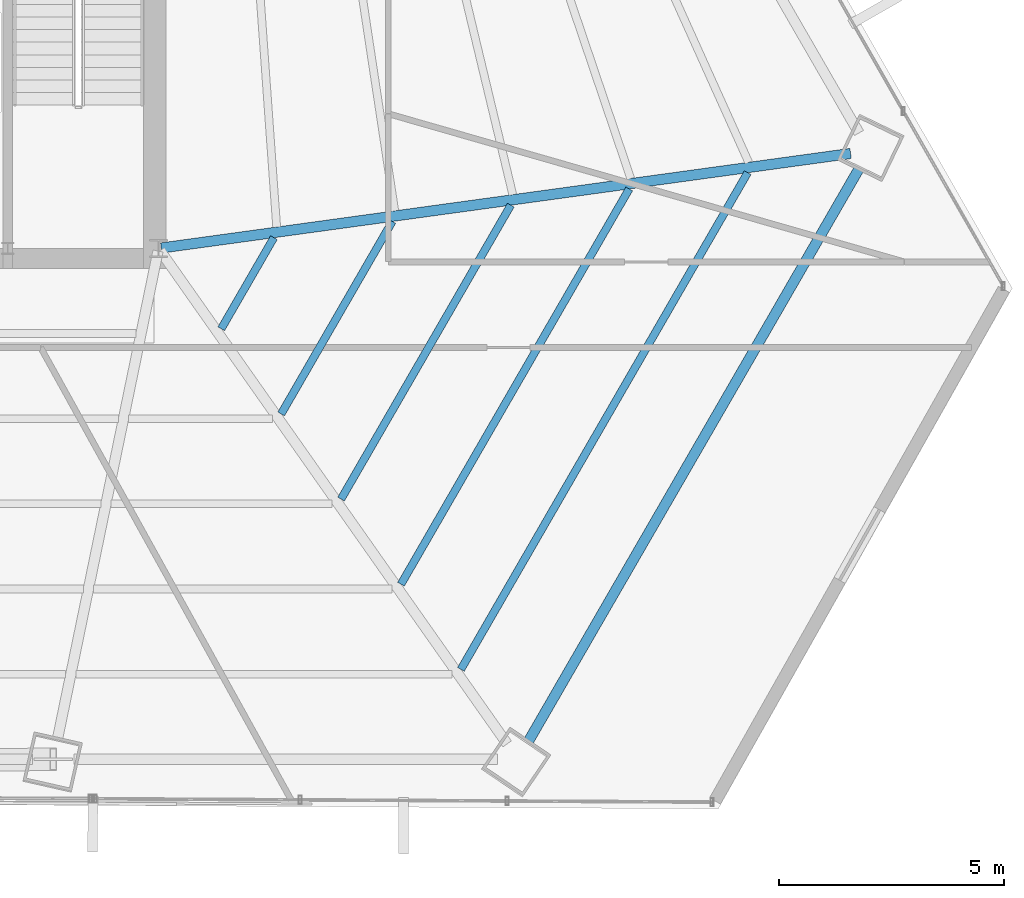
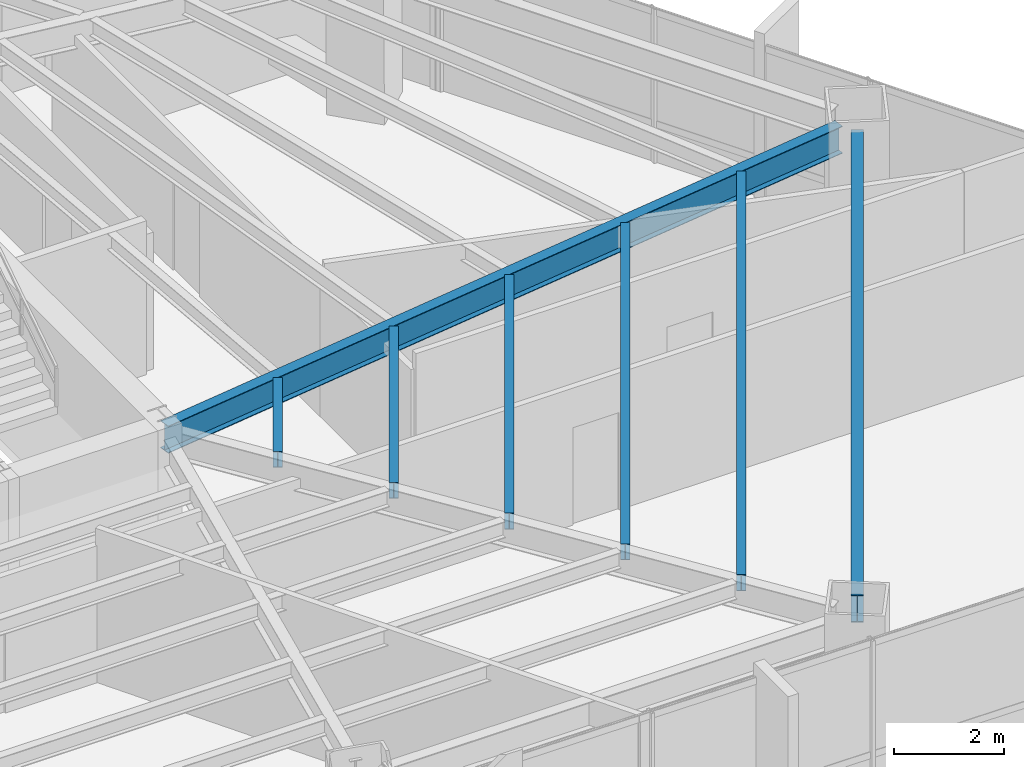
# One storey, part 18 of 35: 7 beams.
"""IFC4 building model written with IfcOpenShell, lengths in metres."""

from ifc_helpers import new_model, si_unit, direction, frame, origin, origin_2d, place, context, subcontext, project, spatial, i_section, extrude, source, transform, mapped, material, material_profile, profile_set, type_object, type_shapes, element, save


model = new_model("IFC4")

# Units and contexts
model_context = context("Model", 3, precision=1e-05, world=origin(), true_north=direction((0.0, 1.0)))
body_context = subcontext(model_context, "Body", "Model", "MODEL_VIEW")
ifc_project = project(units=[si_unit("LENGTHUNIT", "METRE"), si_unit("AREAUNIT", "SQUARE_METRE"), si_unit("VOLUMEUNIT", "CUBIC_METRE"), si_unit("PLANEANGLEUNIT", "RADIAN"), si_unit("MASSUNIT", "GRAM", prefix="KILO")], contexts=[model_context])

# Site, building, storey
site_placement = place(None, origin())
site = spatial("IfcSite", under=ifc_project, at=site_placement, CompositionType="ELEMENT")
building_placement = place(site_placement, origin())
building = spatial("IfcBuilding", under=site, at=building_placement, Name="Caelisora Broadcast Tower", CompositionType="ELEMENT")
storey_placement = place(building_placement, frame((0.0, 0.0, 87.14990234375)))
storey = spatial("IfcBuildingStorey", under=building, at=storey_placement, Name="L22", CompositionType="ELEMENT", Elevation=87.14990234375)

# Beams
ifc_material = material(Name="Steel Grade 350 (AS/NZS 3679.1)", Category="steel")
ifc_material_profile_1 = material_profile(ifc_material, i_section(OverallWidth=0.22900390625, OverallDepth=0.611572265625, WebThickness=0.011962890625, FlangeThickness=0.01953125, at=origin_2d()), Name="Steel Grade 350 (AS/NZS 3679.1)")
ifc_profile_set_1 = profile_set([ifc_material_profile_1], Name="Steel Grade 350 (AS/NZS 3679.1)")
beam_type_1 = type_object("IfcBeamType", Name="PG03", PredefinedType="BEAM", material=ifc_profile_set_1)
shared_shape_1 = source(origin(), body_context, "Body", "SweptSolid", [
    extrude(i_section(OverallWidth=0.22900390625, OverallDepth=0.611572265625, WebThickness=0.011962890625, FlangeThickness=0.01953125, at=origin_2d()), origin(), (0.0, 0.0, 1.0), 14.68359375),
])
type_shapes(beam_type_1, [shared_shape_1])
beam_1_placement = place(storey_placement, frame((53.71337890625, 6.4501953125, 3.09423828125), z_axis=(0.500014139415, 0.866017240235, 0.0), x_axis=(-0.866017240235, 0.500014139415, 0.0)))
element("IfcBeam", 1, at=beam_1_placement, inside=storey, type_object=beam_type_1, Name="L22 beam PG03", PredefinedType="BEAM", context=body_context, shape_type="MappedRepresentation", body=[
    mapped(shared_shape_1, transform((0.0, 0.0, 0.0), scale=1.0)),
])
ifc_material_profile_2 = material_profile(ifc_material, i_section(OverallWidth=0.22802734375, OverallDepth=0.602294921875, WebThickness=0.010498046875, FlangeThickness=0.014892578125, at=origin_2d()), Name="Steel Grade 350 (AS/NZS 3679.1)")
ifc_profile_set_2 = profile_set([ifc_material_profile_2], Name="Steel Grade 350 (AS/NZS 3679.1)")
beam_type_2 = type_object("IfcBeamType", Name="PG04", PredefinedType="BEAM", material=ifc_profile_set_2)
shared_shape_2 = source(origin(), body_context, "Body", "SweptSolid", [
    extrude(i_section(OverallWidth=0.22802734375, OverallDepth=0.602294921875, WebThickness=0.010498046875, FlangeThickness=0.014892578125, at=origin_2d()), origin(), (0.0, 0.0, 1.0), 15.453125),
])
type_shapes(beam_type_2, [shared_shape_2])
beam_2_placement = place(storey_placement, frame((45.559326171875, 17.408203125, 3.098876953125), z_axis=(0.990726722416, 0.135869648898, 0.0), x_axis=(-0.135869648898, 0.990726722416, 0.0)))
element("IfcBeam", 2, at=beam_2_placement, inside=storey, type_object=beam_type_2, Name="L22 beam PG04", PredefinedType="BEAM", context=body_context, shape_type="MappedRepresentation", body=[
    mapped(shared_shape_2, transform((0.0, 0.0, 0.0), scale=1.0)),
])
ifc_material_profile_3 = material_profile(ifc_material, i_section(OverallWidth=0.172119140625, OverallDepth=0.358642578125, WebThickness=0.008056640625, FlangeThickness=0.012939453125, at=origin_2d()), Name="Steel Grade 350 (AS/NZS 3679.1)")
ifc_profile_set_3 = profile_set([ifc_material_profile_3], Name="Steel Grade 350 (AS/NZS 3679.1)")
beam_type_3 = type_object("IfcBeamType", Name="SB02", PredefinedType="JOIST", material=ifc_profile_set_3)
shared_shape_3 = source(origin(), body_context, "Body", "SweptSolid", [
    extrude(i_section(OverallWidth=0.172119140625, OverallDepth=0.358642578125, WebThickness=0.008056640625, FlangeThickness=0.012939453125, at=origin_2d()), origin(), (0.0, 0.0, 1.0), 2.336669921875),
])
beam_3_placement = place(storey_placement, frame((46.891845703125, 15.614990234375, 3.220703125), z_axis=(0.500072169849, 0.865983732493, 0.0), x_axis=(-0.865983732493, 0.500072169849, 0.0)))
element("IfcBeam", 3, at=beam_3_placement, inside=storey, type_object=beam_type_3, Name="L22 beam SB02", PredefinedType="JOIST", context=body_context, shape_type="MappedRepresentation", body=[
    mapped(shared_shape_3, transform((0.0, 0.0, 0.0), scale=1.0)),
])
shared_shape_4 = source(origin(), body_context, "Body", "SweptSolid", [
    extrude(i_section(OverallWidth=0.172119140625, OverallDepth=0.358642578125, WebThickness=0.008056640625, FlangeThickness=0.012939453125, at=origin_2d()), origin(), (0.0, 0.0, 1.0), 4.9375),
])
beam_4_placement = place(storey_placement, frame((48.222412109375, 13.723388671875, 3.220703125), z_axis=(0.500010657777, 0.866019250426, 0.0), x_axis=(-0.866019250426, 0.500010657777, 0.0)))
element("IfcBeam", 4, at=beam_4_placement, inside=storey, type_object=beam_type_3, Name="L22 beam SB02", PredefinedType="JOIST", context=body_context, shape_type="MappedRepresentation", body=[
    mapped(shared_shape_4, transform((0.0, 0.0, 0.0), scale=1.0)),
])
shared_shape_5 = source(origin(), body_context, "Body", "SweptSolid", [
    extrude(i_section(OverallWidth=0.172119140625, OverallDepth=0.358642578125, WebThickness=0.008056640625, FlangeThickness=0.012939453125, at=origin_2d()), origin(), (0.0, 0.0, 1.0), 7.537841796875),
])
beam_5_placement = place(storey_placement, frame((49.552978515625, 11.832275390625, 3.220703125), z_axis=(0.500019639741, 0.866014064478, 0.0), x_axis=(-0.866014064478, 0.500019639741, 0.0)))
element("IfcBeam", 5, at=beam_5_placement, inside=storey, type_object=beam_type_3, Name="L22 beam SB02", PredefinedType="JOIST", context=body_context, shape_type="MappedRepresentation", body=[
    mapped(shared_shape_5, transform((0.0, 0.0, 0.0), scale=1.0)),
])
shared_shape_6 = source(origin(), body_context, "Body", "SweptSolid", [
    extrude(i_section(OverallWidth=0.172119140625, OverallDepth=0.358642578125, WebThickness=0.008056640625, FlangeThickness=0.012939453125, at=origin_2d()), origin(), (0.0, 0.0, 1.0), 10.13818359375),
])
beam_6_placement = place(storey_placement, frame((50.8837890625, 9.94091796875, 3.220703125), z_axis=(0.499995525773, 0.866027986965, 0.0), x_axis=(-0.866027986965, 0.499995525773, 0.0)))
element("IfcBeam", 6, at=beam_6_placement, inside=storey, type_object=beam_type_3, Name="L22 beam SB02", PredefinedType="JOIST", context=body_context, shape_type="MappedRepresentation", body=[
    mapped(shared_shape_6, transform((0.0, 0.0, 0.0), scale=1.0)),
])
shared_shape_7 = source(origin(), body_context, "Body", "SweptSolid", [
    extrude(i_section(OverallWidth=0.172119140625, OverallDepth=0.358642578125, WebThickness=0.008056640625, FlangeThickness=0.012939453125, at=origin_2d()), origin(), (0.0, 0.0, 1.0), 12.739013671875),
])
type_shapes(beam_type_3, [shared_shape_3, shared_shape_4, shared_shape_5, shared_shape_6, shared_shape_7])
beam_7_placement = place(storey_placement, frame((52.21435546875, 8.04931640625, 3.220703125), z_axis=(0.499987332365, 0.866032717323, 0.0), x_axis=(-0.866032717323, 0.499987332365, 0.0)))
element("IfcBeam", 7, at=beam_7_placement, inside=storey, type_object=beam_type_3, Name="L22 beam SB02", PredefinedType="JOIST", context=body_context, shape_type="MappedRepresentation", body=[
    mapped(shared_shape_7, transform((0.0, 0.0, 0.0), scale=1.0)),
])

save(model, "model.ifc")
